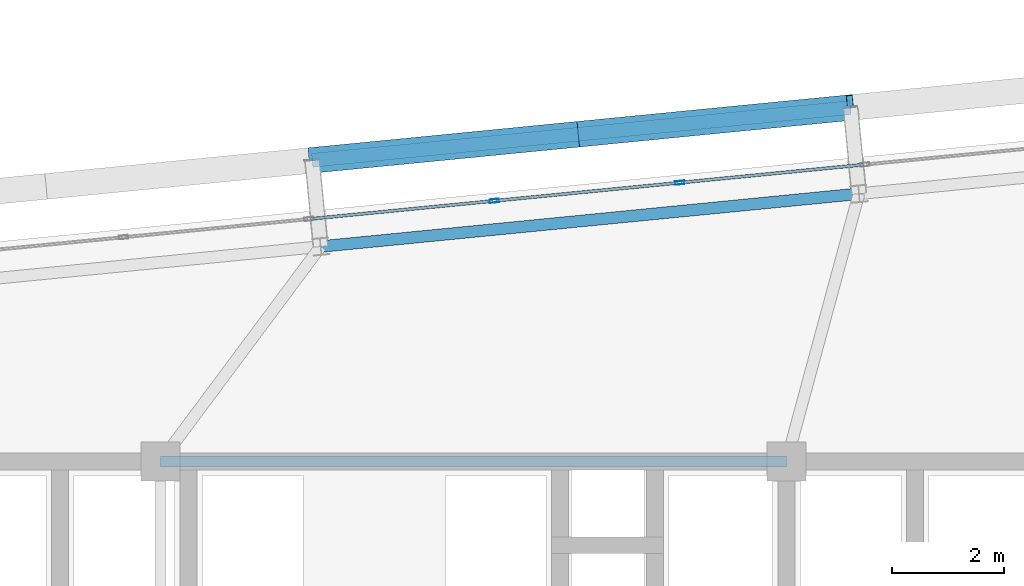
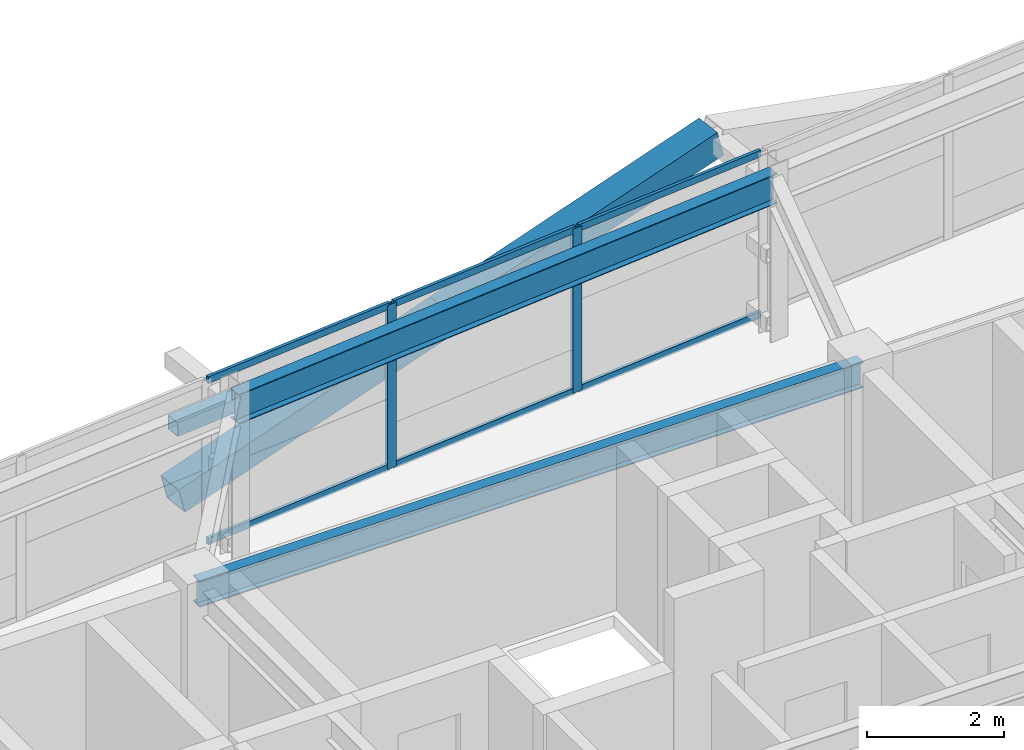
# One storey, part 30 of 54: 11 members, 2 beams, 1 element without a shape of its own.
"""IFC4 building model written with IfcOpenShell, lengths in metres."""

from ifc_helpers import new_model, si_unit, direction, frame, origin, origin_2d, place, context, subcontext, project, spatial, hollow_rectangle, i_section, extrude, source, transform, mapped, material, layer, layer_set, material_profile, profile_set, type_object, element, aggregate, save


model = new_model("IFC4")

# Units and contexts
model_context = context("Model", 3, precision=1e-05, world=origin(), true_north=direction((0.0, 1.0)))
body_context = subcontext(model_context, "Body", "Model", "MODEL_VIEW")
ifc_project = project(units=[si_unit("LENGTHUNIT", "METRE"), si_unit("AREAUNIT", "SQUARE_METRE"), si_unit("VOLUMEUNIT", "CUBIC_METRE"), si_unit("PLANEANGLEUNIT", "RADIAN"), si_unit("MASSUNIT", "GRAM", prefix="KILO")], contexts=[model_context])

# Site, building, storey
site_placement = place(None, origin())
site = spatial("IfcSite", under=ifc_project, at=site_placement, CompositionType="ELEMENT")
building_placement = place(site_placement, origin())
building = spatial("IfcBuilding", under=site, at=building_placement, Name="Taldren Reach Tower", CompositionType="ELEMENT")
storey_placement = place(building_placement, frame((0.0, 0.0, 99.75)))
storey = spatial("IfcBuildingStorey", under=building, at=storey_placement, Name="L30", CompositionType="ELEMENT", Elevation=99.75)

# Beams
ifc_material_1 = material(Name="Steel Gr 350 (350PLUS)", Category="steel")
ifc_material_profile_1 = material_profile(ifc_material_1, i_section(OverallWidth=0.19091796875, OverallDepth=0.4599609375, WebThickness=0.010009765625, FlangeThickness=0.01611328125, at=origin_2d()), Name="460UB82.1")
ifc_profile_set_1 = profile_set([ifc_material_profile_1], Name="Steel Gr 350 (350PLUS)")
beam_type_1 = type_object("IfcBeamType", Name="BM-UB460A", PredefinedType="BEAM", material=ifc_profile_set_1)
shared_shape_1 = source(origin(), body_context, "Body", "SweptSolid", [
    extrude(i_section(OverallWidth=0.19091796875, OverallDepth=0.4599609375, WebThickness=0.010009765625, FlangeThickness=0.01611328125, at=origin_2d()), origin(), (0.0, 0.0, 1.0), 11.199951171875),
])
beam_1_placement = place(storey_placement, frame((28.0, 32.0, 2.699951171875), z_axis=(1.0, 0.0, 0.0), x_axis=(0.0, 1.0, 0.0)))
element("IfcBeam", 1, at=beam_1_placement, inside=storey, type_object=beam_type_1, Name="Core-spine girder L30-SP05", PredefinedType="BEAM", context=body_context, shape_type="MappedRepresentation", body=[
    mapped(shared_shape_1, transform((0.0, 0.0, 0.0), scale=1.0)),
])
ifc_material_profile_2 = material_profile(ifc_material_1, i_section(OverallWidth=0.208984375, OverallDepth=0.528076171875, WebThickness=0.009521484375, FlangeThickness=0.01318359375, at=origin_2d()), Name="530UB82.0")
ifc_profile_set_2 = profile_set([ifc_material_profile_2], Name="Steel Gr 350 (350PLUS)")
beam_type_2 = type_object("IfcBeamType", Name="SP-UB530B", PredefinedType="SPANDREL", material=ifc_profile_set_2)
shared_shape_2 = source(origin(), body_context, "Body", "SweptSolid", [
    extrude(i_section(OverallWidth=0.208984375, OverallDepth=0.528076171875, WebThickness=0.009521484375, FlangeThickness=0.01318359375, at=origin_2d()), origin(), (0.0, 0.0, 1.0), 9.679931640625),
])
beam_2_placement = place(storey_placement, frame((40.498291015625, 36.790771484375, 2.666015625), z_axis=(-0.995227612658, -0.097580730699, 0.0), x_axis=(0.097580730699, -0.995227612658, 0.0)))
element("IfcBeam", 2, at=beam_2_placement, inside=storey, type_object=beam_type_2, Name="Perimeter spandrel B2 N4-N3 L30", PredefinedType="SPANDREL", context=body_context, shape_type="MappedRepresentation", body=[
    mapped(shared_shape_2, transform((0.0, 0.0, 0.0), scale=1.0)),
])

# Members
ifc_material_2 = material(Name="Steel Gr 450 (C450L0)", Category="steel")
ifc_material_profile_3 = material_profile(ifc_material_2, hollow_rectangle(XDim=0.4599609375, YDim=0.4599609375, WallThickness=0.01611328125, at=origin_2d()), Name="460x460x16.0SHS")
ifc_profile_set_3 = profile_set([ifc_material_profile_3], Name="Steel Gr 450 (C450L0)")
member_type_1 = type_object("IfcMemberType", Name="MB-EXO457", PredefinedType="BRACE", material=ifc_profile_set_3)
shared_shape_3 = source(origin(), body_context, "Body", "SweptSolid", [
    extrude(hollow_rectangle(XDim=0.4599609375, YDim=0.4599609375, WallThickness=0.01611328125, at=origin_2d()), origin(), (0.0, 0.0, 1.0), 4.990234375),
])
for number, where, z_axis, x_axis, name in (
    (3, (30.713134765625, 37.388671875, 0.219970703125), (0.965271056716, 0.094667992638, 0.243494883389), (-0.097605711627, 0.995225162995, 0.0), "Exoskeleton Diagrid Brace B2-N3 L30"),
    (4, (35.530029296875, 37.861083984375, 1.43505859375), (0.965287024526, 0.094620633828, 0.24344998652), (-0.097555749586, 0.995230061706, 0.0), "Exoskeleton Diagrid Brace B2-N3 L30"),
):
    element("IfcMember", number, at=place(storey_placement, frame(where, z_axis=z_axis, x_axis=x_axis)), inside=storey, type_object=member_type_1, Name=name, PredefinedType="BRACE", context=body_context, shape_type="MappedRepresentation", body=[
        mapped(shared_shape_3, transform((0.0, 0.0, 0.0), scale=1.0)),
    ])
ifc_material_3 = material(Name="Steel Gr 350 (C350L0)", Category="steel")
ifc_material_profile_4 = material_profile(ifc_material_3, hollow_rectangle(XDim=0.25, YDim=0.25, WallThickness=0.010009765625, at=origin_2d()), Name="250x250x10.0SHS")
ifc_profile_set_4 = profile_set([ifc_material_profile_4], Name="Steel Gr 350 (C350L0)")
member_type_2 = type_object("IfcMemberType", Name="MB-POST250", PredefinedType="POST", material=ifc_profile_set_4)
shared_shape_4 = source(origin(), body_context, "Body", "SweptSolid", [
    extrude(hollow_rectangle(XDim=0.25, YDim=0.25, WallThickness=0.010009765625, at=origin_2d()), origin(), (0.0, 0.0, 1.0), 9.679931640625),
])
member_1_placement = place(storey_placement, frame((30.713134765625, 37.388671875, 1.43505859375), z_axis=(0.995227612658, 0.097580730699, 0.0), x_axis=(-0.097580730699, 0.995227612658, 0.0)))
element("IfcMember", 5, at=member_1_placement, inside=storey, type_object=member_type_2, Name="Exoskeleton mid-height ring chord B2-N3 L30", PredefinedType="POST", context=body_context, shape_type="MappedRepresentation", body=[
    mapped(shared_shape_4, transform((0.0, 0.0, 0.0), scale=1.0)),
])

# Curtain wall, members
ifc_material_4 = material(Name="Aluminium and Low-E Glass Unitised System", Category="aluminium")
ifc_layer = layer(ifc_material_4, 0.159912109375)
ifc_layer_set = layer_set([ifc_layer], Name="Aluminium and Low-E Glass Unitised System")
curtain_wall_type = type_object("IfcCurtainWallType", Name="CW-SYS-3", PredefinedType="NOTDEFINED", material=ifc_layer_set)
curtain_wall_placement = place(storey_placement, origin())
curtain_wall = element("IfcCurtainWall", 6, at=curtain_wall_placement, inside=storey, type_object=curtain_wall_type, Name="Unitised curtain wall CW-L30-N", PredefinedType="NOTDEFINED")
ifc_material_5 = material(Name="Anodised Aluminium 6063-T6", Category="aluminium")
ifc_material_profile_5 = material_profile(ifc_material_5, hollow_rectangle(XDim=0.06494140625, YDim=0.1650390625, WallThickness=0.00390625, at=origin_2d()), Name="ALU-165x65x4RHS")
ifc_profile_set_5 = profile_set([ifc_material_profile_5], Name="Anodised Aluminium 6063-T6")
member_type_3 = type_object("IfcMemberType", Name="CW-MUL-165", PredefinedType="MULLION", material=ifc_profile_set_5)
shared_shape_5 = source(origin(), body_context, "Body", "SweptSolid", [
    extrude(hollow_rectangle(XDim=0.06494140625, YDim=0.1650390625, WallThickness=0.00390625, at=origin_2d()), origin(), (0.0, 0.0, 1.0), 2.929931640625),
])
member_2_placement = place(storey_placement, frame((37.290283203125, 36.988525390625, 0.0), z_axis=(0.0, 0.0, 1.0), x_axis=(0.097582999046, -0.995227390247, 0.0)))
member_2 = element("IfcMember", 7, at=member_2_placement, type_object=member_type_3, Name="CW-3 mullion 8", PredefinedType="MULLION", context=body_context, shape_type="MappedRepresentation", body=[
    mapped(shared_shape_5, transform((0.0, 0.0, 0.0), scale=1.0)),
])
member_3_placement = place(storey_placement, frame((33.972900390625, 36.663330078125, 0.0), z_axis=(0.0, 0.0, 1.0), x_axis=(0.097582999046, -0.995227390247, 0.0)))
member_3 = element("IfcMember", 8, at=member_3_placement, type_object=member_type_3, Name="CW-3 mullion 9", PredefinedType="MULLION", context=body_context, shape_type="MappedRepresentation", body=[
    mapped(shared_shape_5, transform((0.0, 0.0, 0.0), scale=1.0)),
])
ifc_material_profile_6 = material_profile(ifc_material_5, hollow_rectangle(XDim=0.054931640625, YDim=0.1201171875, WallThickness=0.0029296875, at=origin_2d()), Name="ALU-120x55x3RHS")
ifc_profile_set_6 = profile_set([ifc_material_profile_6], Name="Anodised Aluminium 6063-T6")
member_type_4 = type_object("IfcMemberType", Name="CW-TRN-135", PredefinedType="USERDEFINED", material=ifc_profile_set_6)
shared_shape_6 = source(origin(), body_context, "Body", "SweptSolid", [
    extrude(hollow_rectangle(XDim=0.054931640625, YDim=0.1201171875, WallThickness=0.0029296875, at=origin_2d()), origin(), (0.0, 0.0, 1.0), 3.268310546875),
])
member_4_placement = place(storey_placement, frame((37.2578125, 36.9853515625, 0.027587890625), z_axis=(-0.99522980512, -0.097558367146, 0.0), x_axis=(0.097558367146, -0.99522980512, 0.0)))
member_4 = element("IfcMember", 9, at=member_4_placement, type_object=member_type_4, Name="CW-3 transom 8.1", ObjectType="TRANSOM", PredefinedType="USERDEFINED", context=body_context, shape_type="MappedRepresentation", body=[
    mapped(shared_shape_6, transform((0.0, 0.0, 0.0), scale=1.0)),
])
member_5_placement = place(storey_placement, frame((37.2578125, 36.9853515625, 2.902587890625), z_axis=(-0.99522980512, -0.097558367146, 0.0), x_axis=(0.097558367146, -0.99522980512, 0.0)))
member_5 = element("IfcMember", 10, at=member_5_placement, type_object=member_type_4, Name="CW-3 transom 8.2", ObjectType="TRANSOM", PredefinedType="USERDEFINED", context=body_context, shape_type="MappedRepresentation", body=[
    mapped(shared_shape_6, transform((0.0, 0.0, 0.0), scale=1.0)),
])
member_6_placement = place(storey_placement, frame((33.9404296875, 36.66015625, 0.027587890625), z_axis=(-0.99522980512, -0.097558367146, 0.0), x_axis=(0.097558367146, -0.99522980512, 0.0)))
member_6 = element("IfcMember", 11, at=member_6_placement, type_object=member_type_4, Name="CW-3 transom 9.1", ObjectType="TRANSOM", PredefinedType="USERDEFINED", context=body_context, shape_type="MappedRepresentation", body=[
    mapped(shared_shape_6, transform((0.0, 0.0, 0.0), scale=1.0)),
])
member_7_placement = place(storey_placement, frame((33.9404296875, 36.66015625, 2.902587890625), z_axis=(-0.99522980512, -0.097558367146, 0.0), x_axis=(0.097558367146, -0.99522980512, 0.0)))
member_7 = element("IfcMember", 12, at=member_7_placement, type_object=member_type_4, Name="CW-3 transom 9.2", ObjectType="TRANSOM", PredefinedType="USERDEFINED", context=body_context, shape_type="MappedRepresentation", body=[
    mapped(shared_shape_6, transform((0.0, 0.0, 0.0), scale=1.0)),
])
shared_shape_7 = source(origin(), body_context, "Body", "SweptSolid", [
    extrude(hollow_rectangle(XDim=0.054931640625, YDim=0.1201171875, WallThickness=0.0029296875, at=origin_2d()), origin(), (0.0, 0.0, 1.0), 3.2685546875),
])
member_8_placement = place(storey_placement, frame((40.575439453125, 37.310791015625, 0.027587890625), z_axis=(-0.995223261527, -0.09762509778, 0.0), x_axis=(0.09762509778, -0.995223261527, 0.0)))
member_8 = element("IfcMember", 13, at=member_8_placement, type_object=member_type_4, Name="CW-3 transom 7.1", ObjectType="TRANSOM", PredefinedType="USERDEFINED", context=body_context, shape_type="MappedRepresentation", body=[
    mapped(shared_shape_7, transform((0.0, 0.0, 0.0), scale=1.0)),
])
member_9_placement = place(storey_placement, frame((40.575439453125, 37.310791015625, 2.902587890625), z_axis=(-0.995223261527, -0.09762509778, 0.0), x_axis=(0.09762509778, -0.995223261527, 0.0)))
member_9 = element("IfcMember", 14, at=member_9_placement, type_object=member_type_4, Name="CW-3 transom 7.2", ObjectType="TRANSOM", PredefinedType="USERDEFINED", context=body_context, shape_type="MappedRepresentation", body=[
    mapped(shared_shape_7, transform((0.0, 0.0, 0.0), scale=1.0)),
])
aggregate(curtain_wall, [member_2, member_3, member_8, member_9, member_4, member_5, member_6, member_7])

save(model, "model.ifc")
